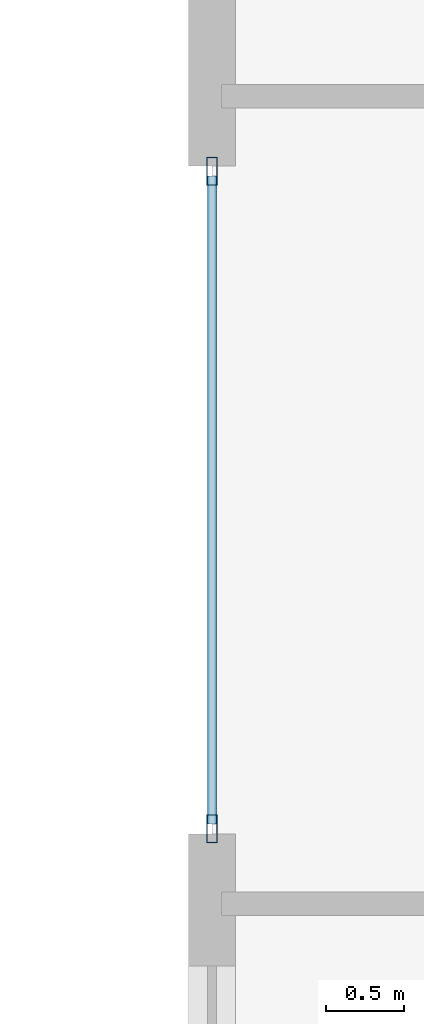
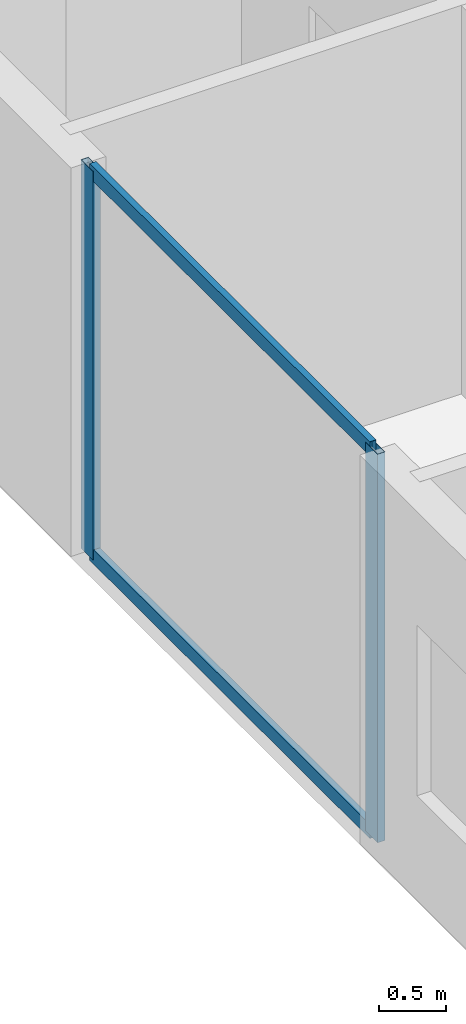
# One storey, part 4 of 32: 4 members, 1 element without a shape of its own.
"""IFC4 building model written with IfcOpenShell, lengths in metres."""

from ifc_helpers import new_model, si_unit, direction, frame, origin, origin_2d, place, context, subcontext, project, spatial, hollow_rectangle, extrude, material, layer, layer_set, material_profile, profile_set, type_object, element, aggregate, save


model = new_model("IFC4")

# Units and contexts
model_context = context("Model", 3, precision=1e-05, world=origin(), true_north=direction((0.0, 1.0)))
body_context = subcontext(model_context, "Body", "Model", "MODEL_VIEW")
ifc_project = project(units=[si_unit("LENGTHUNIT", "METRE"), si_unit("AREAUNIT", "SQUARE_METRE"), si_unit("VOLUMEUNIT", "CUBIC_METRE"), si_unit("PLANEANGLEUNIT", "RADIAN"), si_unit("MASSUNIT", "GRAM", prefix="KILO")], contexts=[model_context])

# Site, building, storey
site_placement = place(None, origin())
site = spatial("IfcSite", under=ifc_project, at=site_placement, CompositionType="ELEMENT")
building_placement = place(site_placement, origin())
building = spatial("IfcBuilding", under=site, at=building_placement, Name="Zuhayl Quay Hotel", CompositionType="ELEMENT")
storey_placement = place(building_placement, frame((0.0, 0.0, 188.64990234375)))
storey = spatial("IfcBuildingStorey", under=building, at=storey_placement, Name="L47", CompositionType="ELEMENT", Elevation=188.64990234375)

# Curtain wall, members
ifc_material_1 = material(Name="Anodised Aluminium 6063-T6", Category="aluminium")
ifc_layer = layer(ifc_material_1, 0.175048828125, Name="Anodised Aluminium 6063-T6", Category="aluminium")
ifc_layer_set = layer_set([ifc_layer], Name="Anodised Aluminium 6063-T6")
curtain_wall_type = type_object("IfcCurtainWallType", Name="CW_SYS_Z3", PredefinedType="USERDEFINED", material=ifc_layer_set)
curtain_wall_placement = place(storey_placement, origin())
curtain_wall = element("IfcCurtainWall", 1, at=curtain_wall_placement, inside=storey, type_object=curtain_wall_type, Name="L47 Curtain Wall ENV_L47_E02_CW1", ObjectType="UNITISED CURTAIN WALL", PredefinedType="USERDEFINED")
ifc_material_2 = material(Name="Black-anodised aluminium 6063-T6", Category="aluminium")
ifc_material_profile_1 = material_profile(ifc_material_2, hollow_rectangle(XDim=0.06494140625, YDim=0.179931640625, WallThickness=0.00341796875, at=origin_2d()), Name="ALU180X65")
ifc_profile_set_1 = profile_set([ifc_material_profile_1], Name="Black-anodised aluminium 6063-T6")
member_type_1 = type_object("IfcMemberType", Name="MB_CW_MUL_180", PredefinedType="MULLION", material=ifc_profile_set_1)
member_1_placement = place(storey_placement, frame((-22.10009765625, 2.032470703125, 0.0), z_axis=(0.0, 0.0, 1.0), x_axis=(-1.0, 0.0, 0.0)))
member_1 = element("IfcMember", 2, at=member_1_placement, type_object=member_type_1, Name="CW-Z3 mullion 1", PredefinedType="MULLION", context=body_context, shape_type="SweptSolid", body=[
    extrude(hollow_rectangle(XDim=0.06494140625, YDim=0.179931640625, WallThickness=0.00341796875, at=origin_2d()), origin(), (0.0, 0.0, 1.0), 3.530029296875),
])
member_2_placement = place(storey_placement, frame((-22.10009765625, 6.267578125, 0.0), z_axis=(0.0, 0.0, 1.0), x_axis=(-1.0, 0.0, 0.0)))
member_2 = element("IfcMember", 3, at=member_2_placement, type_object=member_type_1, Name="CW-Z3 mullion 2", PredefinedType="MULLION", context=body_context, shape_type="SweptSolid", body=[
    extrude(hollow_rectangle(XDim=0.06494140625, YDim=0.179931640625, WallThickness=0.00341796875, at=origin_2d()), origin(), (0.0, 0.0, 1.0), 3.530029296875),
])
ifc_material_profile_2 = material_profile(ifc_material_2, hollow_rectangle(XDim=0.054931640625, YDim=0.1298828125, WallThickness=0.0029296875, at=origin_2d()), Name="ALU130X55")
ifc_profile_set_2 = profile_set([ifc_material_profile_2], Name="Black-anodised aluminium 6063-T6")
member_type_2 = type_object("IfcMemberType", Name="MB_CW_TRN_130", PredefinedType="USERDEFINED", material=ifc_profile_set_2)
member_3_placement = place(storey_placement, frame((-22.10009765625, 2.06494140625, 0.027587890625), z_axis=(0.0, 1.0, 0.0), x_axis=(-1.0, 0.0, 0.0)))
member_3 = element("IfcMember", 4, at=member_3_placement, type_object=member_type_2, Name="CW-Z3 transom 1.1", ObjectType="TRANSOM", PredefinedType="USERDEFINED", context=body_context, shape_type="SweptSolid", body=[
    extrude(hollow_rectangle(XDim=0.054931640625, YDim=0.1298828125, WallThickness=0.0029296875, at=origin_2d()), origin(), (0.0, 0.0, 1.0), 4.170166015625),
])
member_4_placement = place(storey_placement, frame((-22.10009765625, 2.06494140625, 3.502685546875), z_axis=(0.0, 1.0, 0.0), x_axis=(-1.0, 0.0, 0.0)))
member_4 = element("IfcMember", 5, at=member_4_placement, type_object=member_type_2, Name="CW-Z3 transom 1.2", ObjectType="TRANSOM", PredefinedType="USERDEFINED", context=body_context, shape_type="SweptSolid", body=[
    extrude(hollow_rectangle(XDim=0.054931640625, YDim=0.1298828125, WallThickness=0.0029296875, at=origin_2d()), origin(), (0.0, 0.0, 1.0), 4.170166015625),
])
aggregate(curtain_wall, [member_1, member_2, member_3, member_4])

save(model, "model.ifc")
